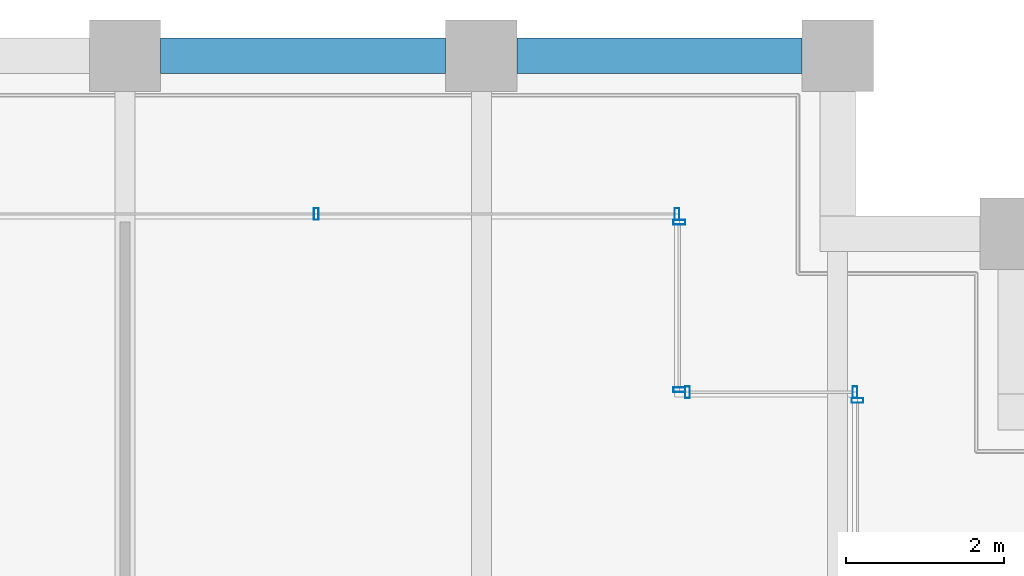
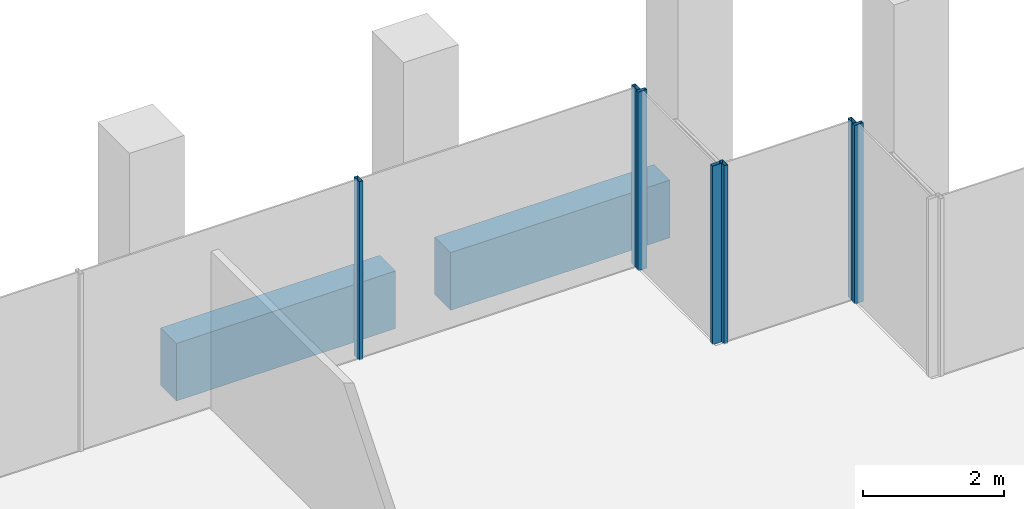
# One storey, part 26 of 40: 7 members, 2 beams, 4 elements without a shape of their own.
"""IFC4 building model written with IfcOpenShell, lengths in metres."""

from ifc_helpers import new_model, si_unit, direction, frame, origin, origin_2d, place, context, subcontext, project, spatial, rectangle, hollow_rectangle, extrude, material, material_profile, profile_set, type_object, element, aggregate, save


model = new_model("IFC4")

# Units and contexts
model_context = context("Model", 3, precision=1e-05, world=origin(), true_north=direction((0.0, 1.0)))
body_context = subcontext(model_context, "Body", "Model", "MODEL_VIEW")
ifc_project = project(units=[si_unit("LENGTHUNIT", "METRE"), si_unit("AREAUNIT", "SQUARE_METRE"), si_unit("VOLUMEUNIT", "CUBIC_METRE"), si_unit("PLANEANGLEUNIT", "RADIAN"), si_unit("MASSUNIT", "GRAM", prefix="KILO")], contexts=[model_context])

# Site, building, storey
site_placement = place(None, origin())
site = spatial("IfcSite", under=ifc_project, at=site_placement, CompositionType="ELEMENT")
building_placement = place(site_placement, origin())
building = spatial("IfcBuilding", under=site, at=building_placement, Name="Altepetl Exchange Towers", CompositionType="ELEMENT")
storey_placement = place(building_placement, frame((0.0, 0.0, 147.39990234375)))
storey = spatial("IfcBuildingStorey", under=building, at=storey_placement, Name="L36", CompositionType="ELEMENT", Elevation=147.39990234375)

# Curtain wall, member
ifc_material_1 = material(Name="Aluminium 6063-T6 glazing", Category="aluminium")
curtain_wall_type = type_object("IfcCurtainWallType", Name="Loggia glazing system", PredefinedType="NOTDEFINED", material=ifc_material_1)
curtain_wall_1_placement = place(storey_placement, origin())
curtain_wall_1 = element("IfcCurtainWall", 1, at=curtain_wall_1_placement, inside=storey, type_object=curtain_wall_type, Name="CW1 run", PredefinedType="NOTDEFINED")
ifc_material_2 = material(Name="Aluminium 6063-T6", Category="aluminium")
ifc_material_profile_1 = material_profile(ifc_material_2, hollow_rectangle(XDim=0.06005859375, YDim=0.14990234375, WallThickness=0.0029296875, at=origin_2d()), Name="Mullion 60x150 aluminium")
ifc_profile_set_1 = profile_set([ifc_material_profile_1], Name="Aluminium 6063-T6")
member_type = type_object("IfcMemberType", Name="Mullion 60x150 aluminium", PredefinedType="MULLION", material=ifc_profile_set_1)
member_1_placement = place(storey_placement, frame((67.75, 67.64501953125, 0.0), z_axis=(0.0, 0.0, 1.0), x_axis=(0.0, 1.0, 0.0)))
member_1 = element("IfcMember", 2, at=member_1_placement, type_object=member_type, Name="MU1 mullion", PredefinedType="MULLION", context=body_context, shape_type="SweptSolid", body=[
    extrude(hollow_rectangle(XDim=0.06005859375, YDim=0.14990234375, WallThickness=0.0029296875, at=origin_2d()), origin(), (0.0, 0.0, 1.0), 3.10009765625),
])
aggregate(curtain_wall_1, [member_1])

# Curtain wall, members
curtain_wall_2_placement = place(storey_placement, origin())
curtain_wall_2 = element("IfcCurtainWall", 3, at=curtain_wall_2_placement, inside=storey, type_object=curtain_wall_type, Name="CW1 run", PredefinedType="NOTDEFINED")
member_2_placement = place(storey_placement, frame((67.719970703125, 67.75, 0.0), z_axis=(0.0, 0.0, 1.0), x_axis=(-1.0, 0.0, 0.0)))
member_2 = element("IfcMember", 4, at=member_2_placement, type_object=member_type, Name="MU1 mullion", PredefinedType="MULLION", context=body_context, shape_type="SweptSolid", body=[
    extrude(hollow_rectangle(XDim=0.06005859375, YDim=0.14990234375, WallThickness=0.0029296875, at=origin_2d()), origin(), (0.0, 0.0, 1.0), 3.10009765625),
])
member_3_placement = place(storey_placement, frame((65.60498046875, 67.75, 0.0), z_axis=(0.0, 0.0, 1.0), x_axis=(-1.0, 0.0, 0.0)))
member_3 = element("IfcMember", 5, at=member_3_placement, type_object=member_type, Name="MU1 mullion", PredefinedType="MULLION", context=body_context, shape_type="SweptSolid", body=[
    extrude(hollow_rectangle(XDim=0.06005859375, YDim=0.14990234375, WallThickness=0.0029296875, at=origin_2d()), origin(), (0.0, 0.0, 1.0), 3.10009765625),
])
aggregate(curtain_wall_2, [member_2, member_3])

curtain_wall_3_placement = place(storey_placement, origin())
curtain_wall_3 = element("IfcCurtainWall", 6, at=curtain_wall_3_placement, inside=storey, type_object=curtain_wall_type, Name="CW1 run", PredefinedType="NOTDEFINED")
member_4_placement = place(storey_placement, frame((65.5, 67.780029296875, 0.0), z_axis=(0.0, 0.0, 1.0), x_axis=(0.0, 1.0, 0.0)))
member_4 = element("IfcMember", 7, at=member_4_placement, type_object=member_type, Name="MU1 mullion", PredefinedType="MULLION", context=body_context, shape_type="SweptSolid", body=[
    extrude(hollow_rectangle(XDim=0.06005859375, YDim=0.14990234375, WallThickness=0.0029296875, at=origin_2d()), origin(), (0.0, 0.0, 1.0), 3.10009765625),
])
member_5_placement = place(storey_placement, frame((65.5, 69.89501953125, 0.0), z_axis=(0.0, 0.0, 1.0), x_axis=(0.0, 1.0, 0.0)))
member_5 = element("IfcMember", 8, at=member_5_placement, type_object=member_type, Name="MU1 mullion", PredefinedType="MULLION", context=body_context, shape_type="SweptSolid", body=[
    extrude(hollow_rectangle(XDim=0.06005859375, YDim=0.14990234375, WallThickness=0.0029296875, at=origin_2d()), origin(), (0.0, 0.0, 1.0), 3.10009765625),
])
aggregate(curtain_wall_3, [member_4, member_5])

curtain_wall_4_placement = place(storey_placement, origin())
curtain_wall_4 = element("IfcCurtainWall", 9, at=curtain_wall_4_placement, inside=storey, type_object=curtain_wall_type, Name="CW1 run", PredefinedType="NOTDEFINED")
member_6_placement = place(storey_placement, frame((65.469970703125, 70.0, 0.0), z_axis=(0.0, 0.0, 1.0), x_axis=(-1.0, 0.0, 0.0)))
member_6 = element("IfcMember", 10, at=member_6_placement, type_object=member_type, Name="MU1 mullion", PredefinedType="MULLION", context=body_context, shape_type="SweptSolid", body=[
    extrude(hollow_rectangle(XDim=0.06005859375, YDim=0.14990234375, WallThickness=0.0029296875, at=origin_2d()), origin(), (0.0, 0.0, 1.0), 3.10009765625),
])
member_7_placement = place(storey_placement, frame((60.9150390625, 70.0, 0.0), z_axis=(0.0, 0.0, 1.0), x_axis=(-1.0, 0.0, 0.0)))
member_7 = element("IfcMember", 11, at=member_7_placement, type_object=member_type, Name="MU1 mullion", PredefinedType="MULLION", context=body_context, shape_type="SweptSolid", body=[
    extrude(hollow_rectangle(XDim=0.06005859375, YDim=0.14990234375, WallThickness=0.0029296875, at=origin_2d()), origin(), (0.0, 0.0, 1.0), 3.10009765625),
])
aggregate(curtain_wall_4, [member_6, member_7])

# Beams
ifc_material_3 = material(Name="Concrete C50/60 precast with cantera rosa facing", Category="concrete")
ifc_material_profile_2 = material_profile(ifc_material_3, rectangle(XDim=0.449951171875, YDim=1.0, at=origin_2d()), Name="450 x 1000")
ifc_profile_set_2 = profile_set([ifc_material_profile_2], Name="Concrete C50/60 precast with cantera rosa facing")
beam_type = type_object("IfcBeamType", Name="Spandrel beam 450x1000 cantera rosa", PredefinedType="SPANDREL", material=ifc_profile_set_2)
for number, where, z_axis, x_axis, name in (
    (12, (67.050048828125, 72.0, -0.64990234375), (-1.0, 0.0, 0.0), (0.0, -1.0, 0.0), "sp:A:L36:024"),
    (13, (62.550048828125, 72.0, -0.64990234375), (-1.0, 0.0, 0.0), (0.0, -1.0, 0.0), "sp:A:L36:025"),
):
    element("IfcBeam", number, at=place(storey_placement, frame(where, z_axis=z_axis, x_axis=x_axis)), inside=storey, type_object=beam_type, Name=name, PredefinedType="SPANDREL", context=body_context, shape_type="SweptSolid", body=[
        extrude(rectangle(XDim=0.449951171875, YDim=1.0, at=origin_2d()), origin(), (0.0, 0.0, 1.0), 3.60009765625),
    ])

save(model, "model.ifc")
